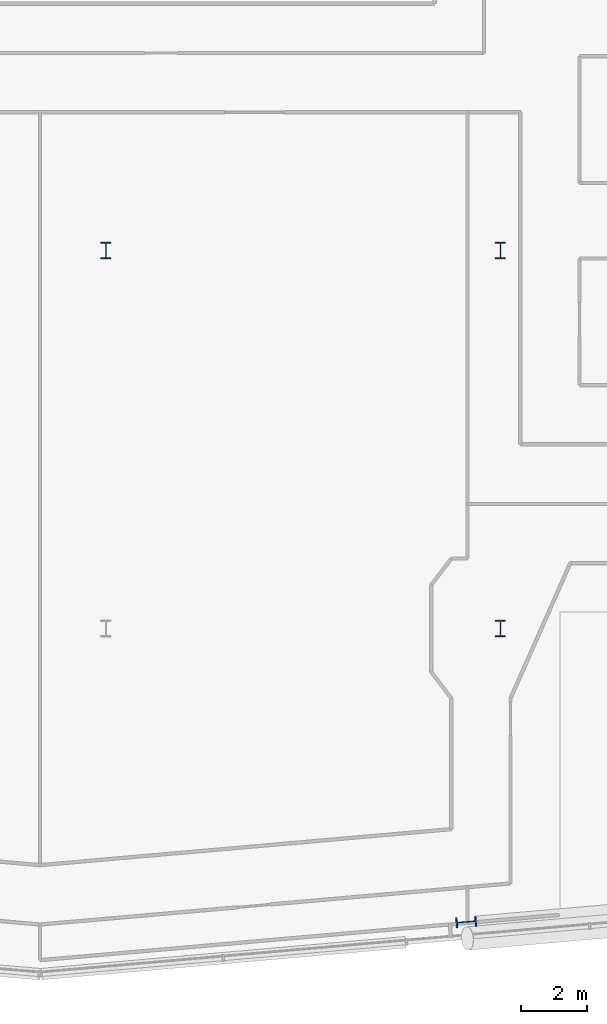
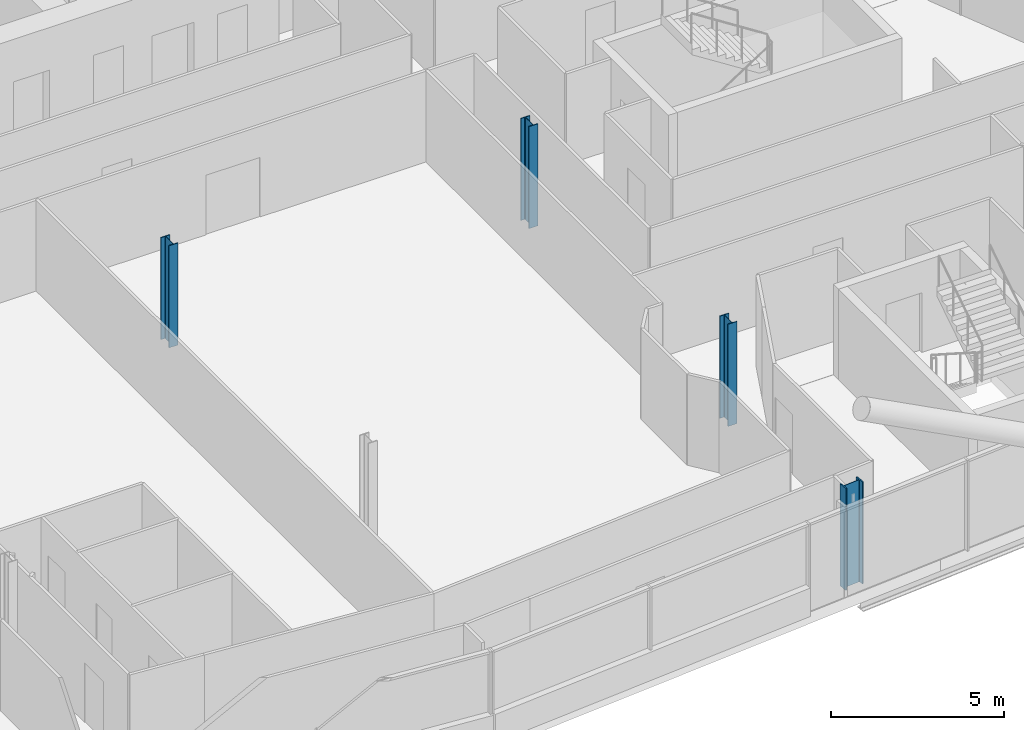
# One storey, part 2 of 28: 4 columns.
"""IFC4 building model written with IfcOpenShell, lengths in metres."""

from ifc_helpers import new_model, si_unit, direction, frame, origin, origin_2d, place, context, subcontext, project, spatial, i_section, extrude, material, material_profile, profile_set, type_object, element, save


model = new_model("IFC4")

# Units and contexts
model_context = context("Model", 3, precision=1e-05, world=origin(), true_north=direction((0.0, 1.0)))
body_context = subcontext(model_context, "Body", "Model", "MODEL_VIEW")
ifc_project = project(units=[si_unit("LENGTHUNIT", "METRE"), si_unit("AREAUNIT", "SQUARE_METRE"), si_unit("VOLUMEUNIT", "CUBIC_METRE"), si_unit("PLANEANGLEUNIT", "RADIAN"), si_unit("MASSUNIT", "GRAM", prefix="KILO")], contexts=[model_context])

# Site, building, storey
site_placement = place(None, origin())
site = spatial("IfcSite", under=ifc_project, at=site_placement, CompositionType="ELEMENT")
building_placement = place(site_placement, origin())
building = spatial("IfcBuilding", under=site, at=building_placement, Name="Wharfspan Tower", CompositionType="ELEMENT")
storey_placement = place(building_placement, frame((0.0, 0.0, 187.899902)))
storey = spatial("IfcBuildingStorey", under=building, at=storey_placement, Name="L46", CompositionType="ELEMENT", Elevation=187.899902)

# Columns
ifc_material = material(Name="Steel S355J2", Category="steel")
ifc_material_profile_1 = material_profile(ifc_material, i_section(OverallWidth=0.300049, OverallDepth=0.5, WebThickness=0.014404, FlangeThickness=0.028076, FilletRadius=0.0271, at=origin_2d()))
ifc_profile_set_1 = profile_set([ifc_material_profile_1], Name="Steel S355J2")
column_type_1 = type_object("IfcColumnType", Name="Column HEB 500", PredefinedType="COLUMN", material=ifc_profile_set_1)
for number, where, z_axis, x_axis, name in (
    (1, (60.0, 11.5, 0.0), (0.0, 0.0, 1.0), (1.0, 0.0, 0.0), "Interior column I.1.4 L46"),
    (2, (48.0, 23.0, 0.0), (0.0, 0.0, 1.0), (1.0, 0.0, 0.0), "Interior column I.2.3 L46"),
    (3, (60.0, 23.0, 0.0), (0.0, 0.0, 1.0), (1.0, 0.0, 0.0), "Interior column I.2.4 L46"),
):
    element("IfcColumn", number, at=place(storey_placement, frame(where, z_axis=z_axis, x_axis=x_axis)), inside=storey, type_object=column_type_1, Name=name, PredefinedType="COLUMN", context=body_context, shape_type="SweptSolid", body=[
        extrude(i_section(OverallWidth=0.300049, OverallDepth=0.5, WebThickness=0.014404, FlangeThickness=0.028076, FilletRadius=0.0271, at=origin_2d()), origin(), (0.0, 0.0, 1.0), 3.600098),
    ])
ifc_material_profile_2 = material_profile(ifc_material, i_section(OverallWidth=0.304932, OverallDepth=0.620117, WebThickness=0.020996, FlangeThickness=0.040039, FilletRadius=0.0271, at=origin_2d()))
ifc_profile_set_2 = profile_set([ifc_material_profile_2], Name="Steel S355J2")
column_type_2 = type_object("IfcColumnType", Name="Column HEM 600", PredefinedType="COLUMN", material=ifc_profile_set_2)
column_placement = place(storey_placement, frame((58.960693, 2.573486, 0.0), z_axis=(0.0, 0.0, 1.0), x_axis=(0.087156, -0.996198, 0.0)))
element("IfcColumn", 4, at=column_placement, inside=storey, type_object=column_type_2, Name="Perimeter column PS2.1 L46", PredefinedType="COLUMN", context=body_context, shape_type="SweptSolid", body=[
    extrude(i_section(OverallWidth=0.304932, OverallDepth=0.620117, WebThickness=0.020996, FlangeThickness=0.040039, FilletRadius=0.0271, at=origin_2d()), origin(), (0.0, 0.0, 1.0), 3.600098),
])

save(model, "model.ifc")
